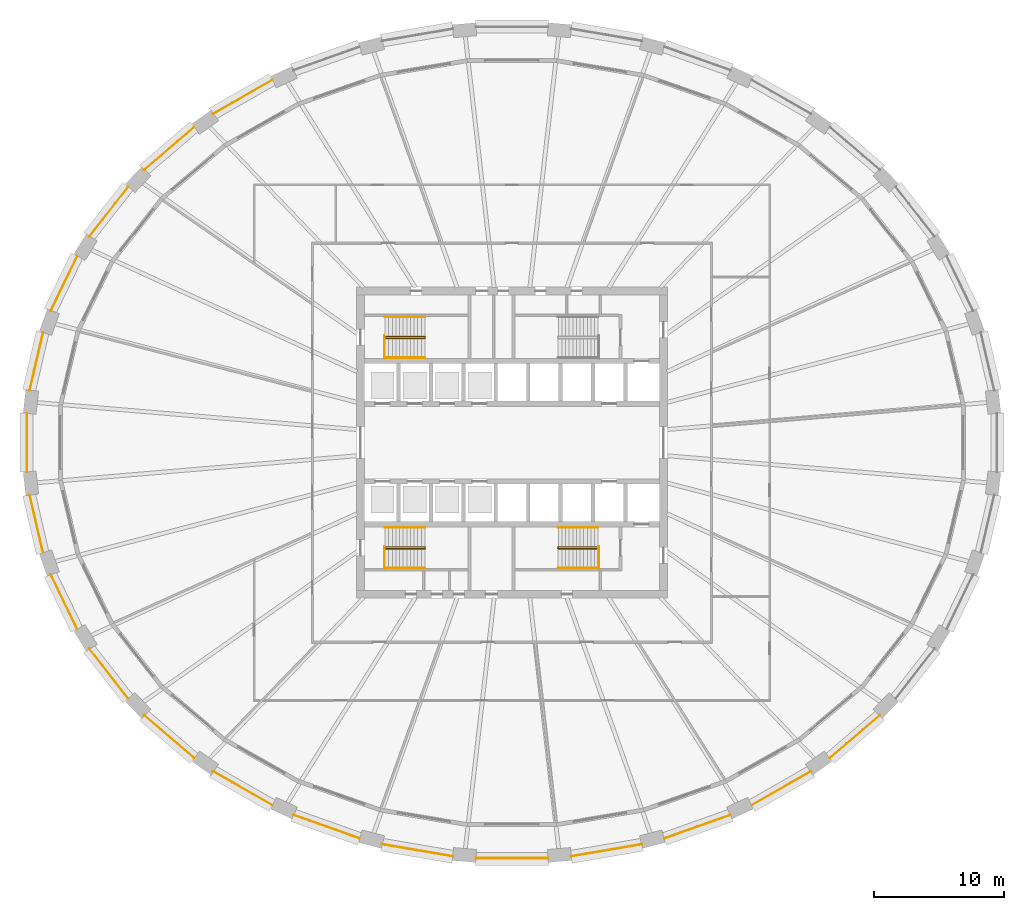
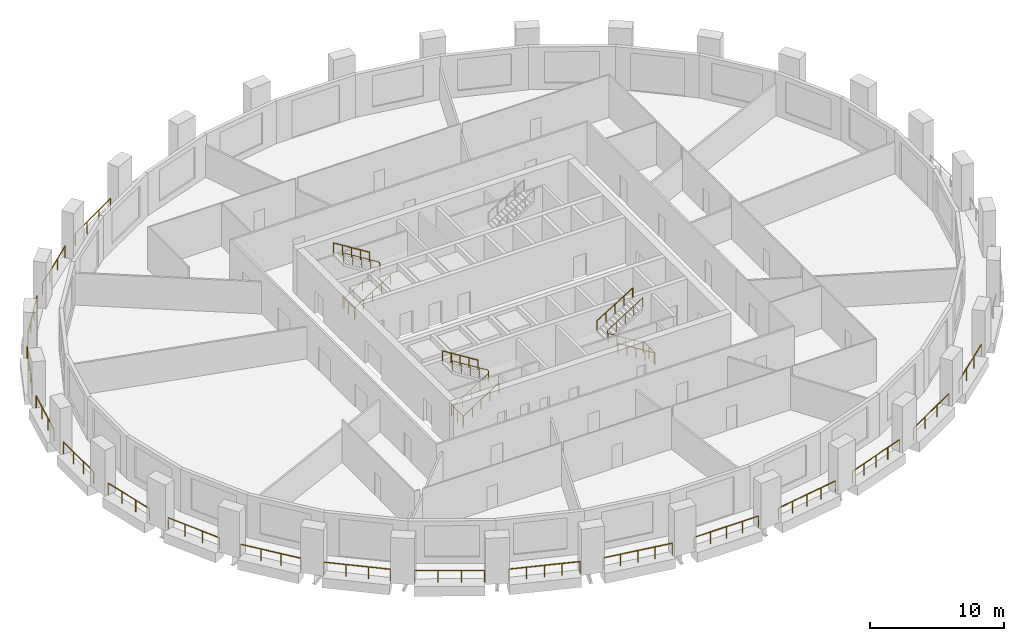
# One storey, part 9 of 11: 30 railings.
"""IFC4 building model written with IfcOpenShell, lengths in metres."""

import ifcopenshell
import ifcopenshell.guid

model = None  # the IFC model being written
_history = None  # IfcOwnerHistory: only IFC2X3 demands one
_inside = {}  # id of a spatial element -> (the spatial element, [elements in it])
_under = {}  # id of a project, library or spatial element -> (it, [spatial elements below it])
_declared = {}  # id of a project -> (the project, [libraries it declares])
_typed = {}  # id of a type object -> (the type object, [elements of that type])
_made_of = {}  # id of a material, layer set ... -> (it, [elements and type objects made of it])


def new_model(schema):
    """Start an empty IFC model of exactly this schema.

    Asked for "IFC4X3", IfcOpenShell would pick the latest addendum, in which some entities
    have other attributes; the version numbers below select the first issue.
    IFC2X3 requires an IfcOwnerHistory on every rooted entity: one is made here for all.
    """
    global model, _history
    if schema == "IFC4X3":
        model = ifcopenshell.file(schema_version=(4, 3, 0, 0))
    else:
        model = ifcopenshell.file(schema=schema)
    _inside.clear()
    _under.clear()
    _declared.clear()
    _typed.clear()
    _made_of.clear()
    _history = None
    if model.schema == "IFC2X3":
        org = make("IfcOrganization", Name="unknown")
        user = make(
            "IfcPersonAndOrganization",
            ThePerson=make("IfcPerson", FamilyName="unknown"),
            TheOrganization=org,
        )
        app = make(
            "IfcApplication",
            ApplicationDeveloper=org,
            Version="unknown",
            ApplicationFullName="unknown",
            ApplicationIdentifier="unknown",
        )
        _history = make(
            "IfcOwnerHistory",
            OwningUser=user,
            OwningApplication=app,
            ChangeAction="ADDED",
            CreationDate=0,
        )
    return model


def make(cls, **values):
    """One entity of the class cls with the attributes given. An attribute that is None is left unset."""
    return model.create_entity(
        cls, **{name: value for name, value in values.items() if value is not None}
    )


def rooted(cls, **values):
    """An entity with a GlobalId (a new one), such as an element, a storey or a relation."""
    return make(cls, GlobalId=ifcopenshell.guid.new(), OwnerHistory=_history, **values)


def si_unit(unit_type, name, prefix=None):
    """IfcSIUnit, for example si_unit("LENGTHUNIT", "METRE", prefix="MILLI")."""
    return make("IfcSIUnit", UnitType=unit_type, Prefix=prefix, Name=name)


def assignment(units):
    """IfcUnitAssignment: the units of a project."""
    return None if units is None else make("IfcUnitAssignment", Units=units)


def point(xyz):
    """IfcCartesianPoint."""
    return None if xyz is None else make("IfcCartesianPoint", Coordinates=xyz)


def direction(xyz):
    """IfcDirection."""
    return None if xyz is None else make("IfcDirection", DirectionRatios=xyz)


def frame(location, z_axis=None, x_axis=None):
    """IfcAxis2Placement3D, a coordinate frame: its origin and axes. An axis left out is left unset."""
    return make(
        "IfcAxis2Placement3D",
        Location=point(location),
        Axis=direction(z_axis),
        RefDirection=direction(x_axis),
    )


def frame_2d(location, x_axis=None):
    """IfcAxis2Placement2D, a coordinate frame in the plane: its origin and x axis."""
    return make(
        "IfcAxis2Placement2D", Location=point(location), RefDirection=direction(x_axis)
    )


def origin():
    """The frame at (0, 0, 0) with its axes left unset."""
    return frame((0.0, 0.0, 0.0))


def origin_2d():
    """The frame at (0, 0) in the plane with its x axis left unset."""
    return frame_2d((0.0, 0.0))


def place(relative_to, where):
    """IfcLocalPlacement: puts the frame where relative to a parent placement (None: the world)."""
    return make(
        "IfcLocalPlacement", PlacementRelTo=relative_to, RelativePlacement=where
    )


def context(
    kind, dimensions, precision=None, world=None, true_north=None, identifier=None
):
    """IfcGeometricRepresentationContext, for example the 3D "Model" context."""
    return make(
        "IfcGeometricRepresentationContext",
        ContextIdentifier=identifier,
        ContextType=kind,
        CoordinateSpaceDimension=dimensions,
        Precision=precision,
        WorldCoordinateSystem=world,
        TrueNorth=true_north,
    )


def subcontext(parent, identifier, kind, view, scale=None):
    """IfcGeometricRepresentationSubContext, for example "Body" below "Model"."""
    return make(
        "IfcGeometricRepresentationSubContext",
        ContextIdentifier=identifier,
        ContextType=kind,
        ParentContext=parent,
        TargetScale=scale,
        TargetView=view,
    )


def project(units=None, contexts=None):
    """IfcProject with its units and contexts."""
    return rooted(
        "IfcProject",
        Name="project",
        RepresentationContexts=contexts,
        UnitsInContext=assignment(units),
    )


def spatial(cls, under=None, at=None, **own):
    """A site, building, storey or space (cls), placed at a placement, below another one or the project."""
    s = rooted(cls, ObjectPlacement=at, **own)
    if under is not None:
        _under.setdefault(under.id(), (under, []))[1].append(s)
    return s


def profile(cls, at=None, kind="AREA", **sizes):
    """A parametric profile (cls). Its sizes go by their IFC names, for example OverallWidth=200.0."""
    return make(cls, ProfileType=kind, Position=at, **sizes)


def circle(**sizes):
    """IfcCircleProfileDef."""
    return profile("IfcCircleProfileDef", **sizes)


def extrude(swept, where, along, depth):
    """IfcExtrudedAreaSolid: the profile swept, set in the frame where, extruded along a direction by depth."""
    return make(
        "IfcExtrudedAreaSolid",
        SweptArea=swept,
        Position=where,
        ExtrudedDirection=direction(along),
        Depth=depth,
    )


def shape(context_of_items, identifier, shape_type, items):
    """IfcShapeRepresentation: the items that make up one representation, for example the "Body"."""
    return make(
        "IfcShapeRepresentation",
        ContextOfItems=context_of_items,
        RepresentationIdentifier=identifier,
        RepresentationType=shape_type,
        Items=items,
    )


def material(Name=None, Category=None):
    """IfcMaterial."""
    return make("IfcMaterial", Name=Name, Category=Category)


def made_of(thing, what):
    """Note that an element or type object is made of a material, layer set ...; save() writes the relation."""
    if what is not None:
        _made_of.setdefault(what.id(), (what, []))[1].append(thing)
    return thing


def type_object(cls, material=None, **own):
    """A type object (cls), such as IfcWallType, which elements share."""
    return made_of(rooted(cls, **own), material)


def element(
    cls,
    number,
    at=None,
    inside=None,
    cuts=None,
    type_object=None,
    material=None,
    context=None,
    identifier="Body",
    shape_type=None,
    held_by="IfcProductDefinitionShape",
    body=None,
    shapes=None,
    **own,
):
    """One element of the class cls, such as IfcWall. Its Tag is "e" and its number.

    at: its placement. inside: the storey or other place that contains it. cuts: it is an
    opening in that element (IfcRelVoidsElement). A single representation is given by context,
    identifier, shape_type and body (its items); several are given by shapes. held_by: the class
    of the entity that holds the representations. save() writes the other relations.
    """
    e = rooted(cls, Tag="e%d" % number, ObjectPlacement=at, **own)
    if body is not None:
        shapes = [shape(context, identifier, shape_type, body)]
    if shapes is not None:
        e.Representation = make(held_by, Representations=shapes)
    if inside is not None:
        _inside.setdefault(inside.id(), (inside, []))[1].append(e)
    if cuts is not None:
        rooted(
            "IfcRelVoidsElement", RelatingBuildingElement=cuts, RelatedOpeningElement=e
        )
    if type_object is not None:
        _typed.setdefault(type_object.id(), (type_object, []))[1].append(e)
    return made_of(e, material)


def aggregate(whole, parts):
    """IfcRelAggregates: a whole, such as a stair, and the parts it consists of."""
    return rooted("IfcRelAggregates", RelatingObject=whole, RelatedObjects=parts)


def save(model, path):
    """Write the relations noted so far, then the file.

    IfcRelAggregates (storeys below a building ...), IfcRelContainedInSpatialStructure (elements
    in a storey), IfcRelDefinesByType, IfcRelAssociatesMaterial and IfcRelDeclares: one each for
    every whole, place, type object, material and project.
    """
    for whole, parts in _under.values():
        aggregate(whole, parts)
    for where, things in _inside.values():
        rooted(
            "IfcRelContainedInSpatialStructure",
            RelatedElements=things,
            RelatingStructure=where,
        )
    for kind, things in _typed.values():
        rooted("IfcRelDefinesByType", RelatedObjects=things, RelatingType=kind)
    for what, things in _made_of.values():
        rooted("IfcRelAssociatesMaterial", RelatedObjects=things, RelatingMaterial=what)
    for by, libraries in _declared.values():
        rooted("IfcRelDeclares", RelatingContext=by, RelatedDefinitions=libraries)
    model.write(path)


model = new_model("IFC4")

# Units and contexts
model_context = context("Model", 3, precision=1e-05, world=origin(), true_north=direction((0.0, 1.0)))
body_context = subcontext(model_context, "Body", "Model", "MODEL_VIEW")
ifc_project = project(units=[si_unit("LENGTHUNIT", "METRE"), si_unit("AREAUNIT", "SQUARE_METRE"), si_unit("VOLUMEUNIT", "CUBIC_METRE"), si_unit("PLANEANGLEUNIT", "RADIAN"), si_unit("MASSUNIT", "GRAM", prefix="KILO")], contexts=[model_context])

# Site, building, storey
site_placement = place(None, origin())
site = spatial("IfcSite", under=ifc_project, at=site_placement, CompositionType="ELEMENT")
building_placement = place(site_placement, origin())
building = spatial("IfcBuilding", under=site, at=building_placement, Name="Halqa Exchange Tower", CompositionType="ELEMENT")
storey_placement = place(building_placement, frame((0.0, 0.0, 44.5)))
storey = spatial("IfcBuildingStorey", under=building, at=storey_placement, Name="L09", CompositionType="ELEMENT", Elevation=44.5)

# Railings
ifc_material = material(Name="Stainless steel", Category="steel")
railing_type_1 = type_object("IfcRailingType", Name="Guard 1100 stainless steel", PredefinedType="GUARDRAIL", material=ifc_material)
railing_1_placement = place(storey_placement, frame((-18.51171875, 27.985595703125, 0.0)))
element("IfcRailing", 1, at=railing_1_placement, inside=storey, type_object=railing_type_1, Name="Loggia guard 11", PredefinedType="GUARDRAIL", context=body_context, shape_type="SweptSolid", body=[
    extrude(circle(Radius=0.02392578125, at=origin_2d()), frame((0.0, 0.0, 1.076171875), z_axis=(-0.867757631472, -0.496987618581, 0.0), x_axis=(0.496987618581, -0.867757631472, 0.0)), (0.0, 0.0, 1.0), 5.26513671875),
    extrude(circle(Radius=0.02099609375, at=origin_2d()), origin(), (0.0, 0.0, 1.0), 1.052001953125),
    extrude(circle(Radius=0.02099609375, at=origin_2d()), frame((-1.52294921875, -0.872314453125, 0.0)), (0.0, 0.0, 1.0), 1.052001953125),
    extrude(circle(Radius=0.02099609375, at=origin_2d()), frame((-3.0458984375, -1.744384765625, 0.0)), (0.0, 0.0, 1.0), 1.052001953125),
    extrude(circle(Radius=0.02099609375, at=origin_2d()), frame((-4.56884765625, -2.61669921875, 0.0)), (0.0, 0.0, 1.0), 1.052001953125),
])
railing_2_placement = place(storey_placement, frame((-24.544921875, 24.3359375, 0.0)))
element("IfcRailing", 2, at=railing_2_placement, inside=storey, type_object=railing_type_1, Name="Loggia guard 12", PredefinedType="GUARDRAIL", context=body_context, shape_type="SweptSolid", body=[
    extrude(circle(Radius=0.02392578125, at=origin_2d()), frame((0.0, 0.0, 1.076171875), z_axis=(-0.759253201267, -0.650795341383, 0.0), x_axis=(0.650795341383, -0.759253201267, 0.0)), (0.0, 0.0, 1.0), 5.067138671875),
    extrude(circle(Radius=0.02099609375, at=origin_2d()), origin(), (0.0, 0.0, 1.0), 1.052001953125),
    extrude(circle(Radius=0.02099609375, at=origin_2d()), frame((-1.282470703125, -1.09912109375, 0.0)), (0.0, 0.0, 1.0), 1.052001953125),
    extrude(circle(Radius=0.02099609375, at=origin_2d()), frame((-2.564697265625, -2.198486328125, 0.0)), (0.0, 0.0, 1.0), 1.052001953125),
    extrude(circle(Radius=0.02099609375, at=origin_2d()), frame((-3.84716796875, -3.297607421875, 0.0)), (0.0, 0.0, 1.0), 1.052001953125),
])
railing_3_placement = place(storey_placement, frame((-29.628662109375, 19.742919921875, 0.0)))
element("IfcRailing", 3, at=railing_3_placement, inside=storey, type_object=railing_type_1, Name="Loggia guard 13", PredefinedType="GUARDRAIL", context=body_context, shape_type="SweptSolid", body=[
    extrude(circle(Radius=0.02392578125, at=origin_2d()), frame((0.0, 0.0, 1.076171875), z_axis=(-0.614788306986, -0.788692169096, 0.0), x_axis=(0.788692169096, -0.614788306986, 0.0)), (0.0, 0.0, 1.0), 4.863037109375),
    extrude(circle(Radius=0.02099609375, at=origin_2d()), origin(), (0.0, 0.0, 1.0), 1.052001953125),
    extrude(circle(Radius=0.02099609375, at=origin_2d()), frame((-0.99658203125, -1.278564453125, 0.0)), (0.0, 0.0, 1.0), 1.052001953125),
    extrude(circle(Radius=0.02099609375, at=origin_2d()), frame((-1.9931640625, -2.556884765625, 0.0)), (0.0, 0.0, 1.0), 1.052001953125),
    extrude(circle(Radius=0.02099609375, at=origin_2d()), frame((-2.98974609375, -3.83544921875, 0.0)), (0.0, 0.0, 1.0), 1.052001953125),
])
railing_4_placement = place(storey_placement, frame((-33.5634765625, 14.387451171875, 0.0)))
element("IfcRailing", 4, at=railing_4_placement, inside=storey, type_object=railing_type_1, Name="Loggia guard 14", PredefinedType="GUARDRAIL", context=body_context, shape_type="SweptSolid", body=[
    extrude(circle(Radius=0.02392578125, at=origin_2d()), frame((0.0, 0.0, 1.076171875), z_axis=(-0.435082763591, -0.900390464646, 0.0), x_axis=(0.900390464646, -0.435082763591, 0.0)), (0.0, 0.0, 1.0), 4.684814453125),
    extrude(circle(Radius=0.02099609375, at=origin_2d()), origin(), (0.0, 0.0, 1.0), 1.052001953125),
    extrude(circle(Radius=0.02099609375, at=origin_2d()), frame((-0.679443359375, -1.406005859375, 0.0)), (0.0, 0.0, 1.0), 1.052001953125),
    extrude(circle(Radius=0.02099609375, at=origin_2d()), frame((-1.35888671875, -2.812255859375, 0.0)), (0.0, 0.0, 1.0), 1.052001953125),
    extrude(circle(Radius=0.02099609375, at=origin_2d()), frame((-2.038330078125, -4.21826171875, 0.0)), (0.0, 0.0, 1.0), 1.052001953125),
])
railing_5_placement = place(storey_placement, frame((-36.197021484375, 8.482177734375, 0.0)))
element("IfcRailing", 5, at=railing_5_placement, inside=storey, type_object=railing_type_1, Name="Loggia guard 15", PredefinedType="GUARDRAIL", context=body_context, shape_type="SweptSolid", body=[
    extrude(circle(Radius=0.02392578125, at=origin_2d()), frame((0.0, 0.0, 1.076171875), z_axis=(-0.226023651238, -0.974121814293, 0.0), x_axis=(0.974121814293, -0.226023651238, 0.0)), (0.0, 0.0, 1.0), 4.563720703125),
    extrude(circle(Radius=0.02099609375, at=origin_2d()), origin(), (0.0, 0.0, 1.0), 1.052001953125),
    extrude(circle(Radius=0.02099609375, at=origin_2d()), frame((-0.34375, -1.48193359375, 0.0)), (0.0, 0.0, 1.0), 1.052001953125),
    extrude(circle(Radius=0.02099609375, at=origin_2d()), frame((-0.687744140625, -2.963623046875, 0.0)), (0.0, 0.0, 1.0), 1.052001953125),
    extrude(circle(Radius=0.02099609375, at=origin_2d()), frame((-1.031494140625, -4.445556640625, 0.0)), (0.0, 0.0, 1.0), 1.052001953125),
])
railing_6_placement = place(storey_placement, frame((-37.431884765625, 2.260009765625, 0.0)))
element("IfcRailing", 6, at=railing_6_placement, inside=storey, type_object=railing_type_1, Name="Loggia guard 16", PredefinedType="GUARDRAIL", context=body_context, shape_type="SweptSolid", body=[
    extrude(circle(Radius=0.02392578125, at=origin_2d()), frame((0.0, 0.0, 1.076171875), z_axis=(0.0, -1.0, 0.0), x_axis=(1.0, 0.0, 0.0)), (0.0, 0.0, 1.0), 4.52001953125),
    extrude(circle(Radius=0.02099609375, at=origin_2d()), origin(), (0.0, 0.0, 1.0), 1.052001953125),
    extrude(circle(Radius=0.02099609375, at=origin_2d()), frame((0.0, -1.506591796875, 0.0)), (0.0, 0.0, 1.0), 1.052001953125),
    extrude(circle(Radius=0.02099609375, at=origin_2d()), frame((0.0, -3.013427734375, 0.0)), (0.0, 0.0, 1.0), 1.052001953125),
    extrude(circle(Radius=0.02099609375, at=origin_2d()), frame((0.0, -4.52001953125, 0.0)), (0.0, 0.0, 1.0), 1.052001953125),
])
railing_7_placement = place(storey_placement, frame((-37.228515625, -4.03662109375, 0.0)))
element("IfcRailing", 7, at=railing_7_placement, inside=storey, type_object=railing_type_1, Name="Loggia guard 17", PredefinedType="GUARDRAIL", context=body_context, shape_type="SweptSolid", body=[
    extrude(circle(Radius=0.02392578125, at=origin_2d()), frame((0.0, 0.0, 1.076171875), z_axis=(0.226023651238, -0.974121814293, 0.0), x_axis=(0.974121814293, 0.226023651238, 0.0)), (0.0, 0.0, 1.0), 4.563720703125),
    extrude(circle(Radius=0.02099609375, at=origin_2d()), origin(), (0.0, 0.0, 1.0), 1.052001953125),
    extrude(circle(Radius=0.02099609375, at=origin_2d()), frame((0.34375, -1.48193359375, 0.0)), (0.0, 0.0, 1.0), 1.052001953125),
    extrude(circle(Radius=0.02099609375, at=origin_2d()), frame((0.687744140625, -2.963623046875, 0.0)), (0.0, 0.0, 1.0), 1.052001953125),
    extrude(circle(Radius=0.02099609375, at=origin_2d()), frame((1.031494140625, -4.445556640625, 0.0)), (0.0, 0.0, 1.0), 1.052001953125),
])
railing_8_placement = place(storey_placement, frame((-35.601806640625, -10.169189453125, 0.0)))
element("IfcRailing", 8, at=railing_8_placement, inside=storey, type_object=railing_type_1, Name="Loggia guard 18", PredefinedType="GUARDRAIL", context=body_context, shape_type="SweptSolid", body=[
    extrude(circle(Radius=0.02392578125, at=origin_2d()), frame((0.0, 0.0, 1.076171875), z_axis=(0.435082763591, -0.900390464646, 0.0), x_axis=(0.900390464646, 0.435082763591, 0.0)), (0.0, 0.0, 1.0), 4.684814453125),
    extrude(circle(Radius=0.02099609375, at=origin_2d()), origin(), (0.0, 0.0, 1.0), 1.052001953125),
    extrude(circle(Radius=0.02099609375, at=origin_2d()), frame((0.679443359375, -1.406005859375, 0.0)), (0.0, 0.0, 1.0), 1.052001953125),
    extrude(circle(Radius=0.02099609375, at=origin_2d()), frame((1.35888671875, -2.812255859375, 0.0)), (0.0, 0.0, 1.0), 1.052001953125),
    extrude(circle(Radius=0.02099609375, at=origin_2d()), frame((2.038330078125, -4.21826171875, 0.0)), (0.0, 0.0, 1.0), 1.052001953125),
])
railing_9_placement = place(storey_placement, frame((-32.618408203125, -15.907470703125, 0.0)))
element("IfcRailing", 9, at=railing_9_placement, inside=storey, type_object=railing_type_1, Name="Loggia guard 19", PredefinedType="GUARDRAIL", context=body_context, shape_type="SweptSolid", body=[
    extrude(circle(Radius=0.02392578125, at=origin_2d()), frame((0.0, 0.0, 1.076171875), z_axis=(0.614788306986, -0.788692169096, 0.0), x_axis=(0.788692169096, 0.614788306986, 0.0)), (0.0, 0.0, 1.0), 4.863037109375),
    extrude(circle(Radius=0.02099609375, at=origin_2d()), origin(), (0.0, 0.0, 1.0), 1.052001953125),
    extrude(circle(Radius=0.02099609375, at=origin_2d()), frame((0.99658203125, -1.278564453125, 0.0)), (0.0, 0.0, 1.0), 1.052001953125),
    extrude(circle(Radius=0.02099609375, at=origin_2d()), frame((1.9931640625, -2.556884765625, 0.0)), (0.0, 0.0, 1.0), 1.052001953125),
    extrude(circle(Radius=0.02099609375, at=origin_2d()), frame((2.98974609375, -3.83544921875, 0.0)), (0.0, 0.0, 1.0), 1.052001953125),
])
railing_10_placement = place(storey_placement, frame((-28.39208984375, -21.038330078125, 0.0)))
element("IfcRailing", 10, at=railing_10_placement, inside=storey, type_object=railing_type_1, Name="Loggia guard 20", PredefinedType="GUARDRAIL", context=body_context, shape_type="SweptSolid", body=[
    extrude(circle(Radius=0.02392578125, at=origin_2d()), frame((0.0, 0.0, 1.076171875), z_axis=(0.759253201267, -0.650795341383, 0.0), x_axis=(0.650795341383, 0.759253201267, 0.0)), (0.0, 0.0, 1.0), 5.067138671875),
    extrude(circle(Radius=0.02099609375, at=origin_2d()), origin(), (0.0, 0.0, 1.0), 1.052001953125),
    extrude(circle(Radius=0.02099609375, at=origin_2d()), frame((1.282470703125, -1.09912109375, 0.0)), (0.0, 0.0, 1.0), 1.052001953125),
    extrude(circle(Radius=0.02099609375, at=origin_2d()), frame((2.564697265625, -2.198486328125, 0.0)), (0.0, 0.0, 1.0), 1.052001953125),
    extrude(circle(Radius=0.02099609375, at=origin_2d()), frame((3.84716796875, -3.297607421875, 0.0)), (0.0, 0.0, 1.0), 1.052001953125),
])
railing_11_placement = place(storey_placement, frame((-23.08056640625, -25.368896484375, 0.0)))
element("IfcRailing", 11, at=railing_11_placement, inside=storey, type_object=railing_type_1, Name="Loggia guard 21", PredefinedType="GUARDRAIL", context=body_context, shape_type="SweptSolid", body=[
    extrude(circle(Radius=0.02392578125, at=origin_2d()), frame((0.0, 0.0, 1.076171875), z_axis=(0.867757631472, -0.496987618581, 0.0), x_axis=(0.496987618581, 0.867757631472, 0.0)), (0.0, 0.0, 1.0), 5.26513671875),
    extrude(circle(Radius=0.02099609375, at=origin_2d()), origin(), (0.0, 0.0, 1.0), 1.052001953125),
    extrude(circle(Radius=0.02099609375, at=origin_2d()), frame((1.52294921875, -0.872314453125, 0.0)), (0.0, 0.0, 1.0), 1.052001953125),
    extrude(circle(Radius=0.02099609375, at=origin_2d()), frame((3.0458984375, -1.744384765625, 0.0)), (0.0, 0.0, 1.0), 1.052001953125),
    extrude(circle(Radius=0.02099609375, at=origin_2d()), frame((4.56884765625, -2.61669921875, 0.0)), (0.0, 0.0, 1.0), 1.052001953125),
])
railing_12_placement = place(storey_placement, frame((-16.882568359375, -28.734130859375, 0.0)))
element("IfcRailing", 12, at=railing_12_placement, inside=storey, type_object=railing_type_1, Name="Loggia guard 22", PredefinedType="GUARDRAIL", context=body_context, shape_type="SweptSolid", body=[
    extrude(circle(Radius=0.02392578125, at=origin_2d()), frame((0.0, 0.0, 1.076171875), z_axis=(0.942380187408, -0.33454384224, 0.0), x_axis=(0.33454384224, 0.942380187408, 0.0)), (0.0, 0.0, 1.0), 5.4287109375),
    extrude(circle(Radius=0.02099609375, at=origin_2d()), origin(), (0.0, 0.0, 1.0), 1.052001953125),
    extrude(circle(Radius=0.02099609375, at=origin_2d()), frame((1.279052734375, -0.4541015625, 0.0)), (0.0, 0.0, 1.0), 1.052001953125),
    extrude(circle(Radius=0.02099609375, at=origin_2d()), frame((2.55810546875, -0.908203125, 0.0)), (0.0, 0.0, 1.0), 1.052001953125),
    extrude(circle(Radius=0.02099609375, at=origin_2d()), frame((3.8369140625, -1.362060546875, 0.0)), (0.0, 0.0, 1.0), 1.052001953125),
    extrude(circle(Radius=0.02099609375, at=origin_2d()), frame((5.115966796875, -1.816162109375, 0.0)), (0.0, 0.0, 1.0), 1.052001953125),
])
railing_13_placement = place(storey_placement, frame((-10.03125, -31.002685546875, 0.0)))
element("IfcRailing", 13, at=railing_13_placement, inside=storey, type_object=railing_type_1, Name="Loggia guard 23", PredefinedType="GUARDRAIL", context=body_context, shape_type="SweptSolid", body=[
    extrude(circle(Radius=0.02392578125, at=origin_2d()), frame((0.0, 0.0, 1.076171875), z_axis=(0.985768348427, -0.168109378795, 0.0), x_axis=(0.168109378795, 0.985768348427, 0.0)), (0.0, 0.0, 1.0), 5.5361328125),
    extrude(circle(Radius=0.02099609375, at=origin_2d()), origin(), (0.0, 0.0, 1.0), 1.052001953125),
    extrude(circle(Radius=0.02099609375, at=origin_2d()), frame((1.3642578125, -0.232666015625, 0.0)), (0.0, 0.0, 1.0), 1.052001953125),
    extrude(circle(Radius=0.02099609375, at=origin_2d()), frame((2.728515625, -0.46533203125, 0.0)), (0.0, 0.0, 1.0), 1.052001953125),
    extrude(circle(Radius=0.02099609375, at=origin_2d()), frame((4.093017578125, -0.697998046875, 0.0)), (0.0, 0.0, 1.0), 1.052001953125),
    extrude(circle(Radius=0.02099609375, at=origin_2d()), frame((5.457275390625, -0.9306640625, 0.0)), (0.0, 0.0, 1.0), 1.052001953125),
])
railing_14_placement = place(storey_placement, frame((-2.78662109375, -32.084716796875, 0.0)))
element("IfcRailing", 14, at=railing_14_placement, inside=storey, type_object=railing_type_1, Name="Loggia guard 24", PredefinedType="GUARDRAIL", context=body_context, shape_type="SweptSolid", body=[
    extrude(circle(Radius=0.02392578125, at=origin_2d()), frame((0.0, 0.0, 1.076171875), z_axis=(1.0, 0.0, 0.0), x_axis=(0.0, 1.0, 0.0)), (0.0, 0.0, 1.0), 5.5732421875),
    extrude(circle(Radius=0.02099609375, at=origin_2d()), origin(), (0.0, 0.0, 1.0), 1.052001953125),
    extrude(circle(Radius=0.02099609375, at=origin_2d()), frame((1.393310546875, 0.0, 0.0)), (0.0, 0.0, 1.0), 1.052001953125),
    extrude(circle(Radius=0.02099609375, at=origin_2d()), frame((2.78662109375, 0.0, 0.0)), (0.0, 0.0, 1.0), 1.052001953125),
    extrude(circle(Radius=0.02099609375, at=origin_2d()), frame((4.179931640625, 0.0, 0.0)), (0.0, 0.0, 1.0), 1.052001953125),
    extrude(circle(Radius=0.02099609375, at=origin_2d()), frame((5.5732421875, 0.0, 0.0)), (0.0, 0.0, 1.0), 1.052001953125),
])
railing_15_placement = place(storey_placement, frame((4.573974609375, -31.933349609375, 0.0)))
element("IfcRailing", 15, at=railing_15_placement, inside=storey, type_object=railing_type_1, Name="Loggia guard 25", PredefinedType="GUARDRAIL", context=body_context, shape_type="SweptSolid", body=[
    extrude(circle(Radius=0.02392578125, at=origin_2d()), frame((0.0, 0.0, 1.076171875), z_axis=(0.985768348427, 0.168109378795, 0.0), x_axis=(-0.168109378795, 0.985768348427, 0.0)), (0.0, 0.0, 1.0), 5.5361328125),
    extrude(circle(Radius=0.02099609375, at=origin_2d()), origin(), (0.0, 0.0, 1.0), 1.052001953125),
    extrude(circle(Radius=0.02099609375, at=origin_2d()), frame((1.3642578125, 0.232666015625, 0.0)), (0.0, 0.0, 1.0), 1.052001953125),
    extrude(circle(Radius=0.02099609375, at=origin_2d()), frame((2.728515625, 0.46533203125, 0.0)), (0.0, 0.0, 1.0), 1.052001953125),
    extrude(circle(Radius=0.02099609375, at=origin_2d()), frame((4.093017578125, 0.697998046875, 0.0)), (0.0, 0.0, 1.0), 1.052001953125),
    extrude(circle(Radius=0.02099609375, at=origin_2d()), frame((5.457275390625, 0.9306640625, 0.0)), (0.0, 0.0, 1.0), 1.052001953125),
])
railing_16_placement = place(storey_placement, frame((11.7666015625, -30.55029296875, 0.0)))
element("IfcRailing", 16, at=railing_16_placement, inside=storey, type_object=railing_type_1, Name="Loggia guard 26", PredefinedType="GUARDRAIL", context=body_context, shape_type="SweptSolid", body=[
    extrude(circle(Radius=0.02392578125, at=origin_2d()), frame((0.0, 0.0, 1.076171875), z_axis=(0.942380187408, 0.33454384224, 0.0), x_axis=(-0.33454384224, 0.942380187408, 0.0)), (0.0, 0.0, 1.0), 5.4287109375),
    extrude(circle(Radius=0.02099609375, at=origin_2d()), origin(), (0.0, 0.0, 1.0), 1.052001953125),
    extrude(circle(Radius=0.02099609375, at=origin_2d()), frame((1.279052734375, 0.4541015625, 0.0)), (0.0, 0.0, 1.0), 1.052001953125),
    extrude(circle(Radius=0.02099609375, at=origin_2d()), frame((2.55810546875, 0.908203125, 0.0)), (0.0, 0.0, 1.0), 1.052001953125),
    extrude(circle(Radius=0.02099609375, at=origin_2d()), frame((3.8369140625, 1.362060546875, 0.0)), (0.0, 0.0, 1.0), 1.052001953125),
    extrude(circle(Radius=0.02099609375, at=origin_2d()), frame((5.115966796875, 1.816162109375, 0.0)), (0.0, 0.0, 1.0), 1.052001953125),
])
railing_17_placement = place(storey_placement, frame((18.51171875, -27.985595703125, 0.0)))
element("IfcRailing", 17, at=railing_17_placement, inside=storey, type_object=railing_type_1, Name="Loggia guard 27", PredefinedType="GUARDRAIL", context=body_context, shape_type="SweptSolid", body=[
    extrude(circle(Radius=0.02392578125, at=origin_2d()), frame((0.0, 0.0, 1.076171875), z_axis=(0.867757631472, 0.496987618581, 0.0), x_axis=(-0.496987618581, 0.867757631472, 0.0)), (0.0, 0.0, 1.0), 5.26513671875),
    extrude(circle(Radius=0.02099609375, at=origin_2d()), origin(), (0.0, 0.0, 1.0), 1.052001953125),
    extrude(circle(Radius=0.02099609375, at=origin_2d()), frame((1.52294921875, 0.872314453125, 0.0)), (0.0, 0.0, 1.0), 1.052001953125),
    extrude(circle(Radius=0.02099609375, at=origin_2d()), frame((3.0458984375, 1.744384765625, 0.0)), (0.0, 0.0, 1.0), 1.052001953125),
    extrude(circle(Radius=0.02099609375, at=origin_2d()), frame((4.56884765625, 2.61669921875, 0.0)), (0.0, 0.0, 1.0), 1.052001953125),
])
railing_18_placement = place(storey_placement, frame((24.544921875, -24.3359375, 0.0)))
element("IfcRailing", 18, at=railing_18_placement, inside=storey, type_object=railing_type_1, Name="Loggia guard 28", PredefinedType="GUARDRAIL", context=body_context, shape_type="SweptSolid", body=[
    extrude(circle(Radius=0.02392578125, at=origin_2d()), frame((0.0, 0.0, 1.076171875), z_axis=(0.759253201267, 0.650795341383, 0.0), x_axis=(-0.650795341383, 0.759253201267, 0.0)), (0.0, 0.0, 1.0), 5.067138671875),
    extrude(circle(Radius=0.02099609375, at=origin_2d()), origin(), (0.0, 0.0, 1.0), 1.052001953125),
    extrude(circle(Radius=0.02099609375, at=origin_2d()), frame((1.282470703125, 1.09912109375, 0.0)), (0.0, 0.0, 1.0), 1.052001953125),
    extrude(circle(Radius=0.02099609375, at=origin_2d()), frame((2.564697265625, 2.198486328125, 0.0)), (0.0, 0.0, 1.0), 1.052001953125),
    extrude(circle(Radius=0.02099609375, at=origin_2d()), frame((3.84716796875, 3.297607421875, 0.0)), (0.0, 0.0, 1.0), 1.052001953125),
])
railing_type_2 = type_object("IfcRailingType", Name="Stair handrail 900", PredefinedType="HANDRAIL", material=ifc_material)
railing_19_placement = place(storey_placement, frame((-9.800048828125, 8.06005859375, 0.175048828125)))
element("IfcRailing", 19, at=railing_19_placement, inside=storey, type_object=railing_type_2, Name="Handrail ST1.1", PredefinedType="HANDRAIL", context=body_context, shape_type="SweptSolid", body=[
    extrude(circle(Radius=0.02392578125, at=origin_2d()), frame((0.0, 0.0, 0.8759765625), z_axis=(0.847998304005, 0.0, 0.529998940003), x_axis=(0.0, 1.0, 0.0)), (0.0, 0.0, 1.0), 3.632080078125),
    extrude(circle(Radius=0.02392578125, at=origin_2d()), frame((3.080078125, 0.0, 2.80078125), z_axis=(0.0, 0.596406559517, 0.802682512433), x_axis=(-1.0, 0.0, 0.0)), (0.0, 0.0, 1.0), 0.2177734375),
    extrude(circle(Radius=0.02392578125, at=origin_2d()), frame((3.080078125, 0.1298828125, 2.9755859375), z_axis=(-0.847998304005, 0.0, 0.529998940003), x_axis=(0.0, -1.0, 0.0)), (0.0, 0.0, 1.0), 3.632080078125),
    extrude(circle(Radius=0.02099609375, at=origin_2d()), origin(), (0.0, 0.0, 1.0), 0.851806640625),
    extrude(circle(Radius=0.02099609375, at=origin_2d()), frame((0.77001953125, 0.0, 0.481201171875)), (0.0, 0.0, 1.0), 0.851806640625),
    extrude(circle(Radius=0.02099609375, at=origin_2d()), frame((1.5400390625, 0.0, 0.96240234375)), (0.0, 0.0, 1.0), 0.851806640625),
    extrude(circle(Radius=0.02099609375, at=origin_2d()), frame((2.31005859375, 0.0, 1.44384765625)), (0.0, 0.0, 1.0), 0.851806640625),
    extrude(circle(Radius=0.02099609375, at=origin_2d()), frame((3.080078125, 0.0, 1.925048828125)), (0.0, 0.0, 1.0), 0.851806640625),
    extrude(circle(Radius=0.02099609375, at=origin_2d()), frame((3.080078125, 0.1298828125, 2.099853515625)), (0.0, 0.0, 1.0), 0.851806640625),
    extrude(circle(Radius=0.02099609375, at=origin_2d()), frame((2.31005859375, 0.1298828125, 2.5810546875)), (0.0, 0.0, 1.0), 0.851806640625),
    extrude(circle(Radius=0.02099609375, at=origin_2d()), frame((1.5400390625, 0.1298828125, 3.0625)), (0.0, 0.0, 1.0), 0.851806640625),
    extrude(circle(Radius=0.02099609375, at=origin_2d()), frame((0.77001953125, 0.1298828125, 3.543701171875)), (0.0, 0.0, 1.0), 0.851806640625),
    extrude(circle(Radius=0.02099609375, at=origin_2d()), frame((0.0, 0.1298828125, 4.02490234375)), (0.0, 0.0, 1.0), 0.851806640625),
])
railing_20_placement = place(storey_placement, frame((-9.800048828125, 6.550048828125, 0.175048828125)))
element("IfcRailing", 20, at=railing_20_placement, inside=storey, type_object=railing_type_2, Name="Handrail ST1.2", PredefinedType="HANDRAIL", context=body_context, shape_type="SweptSolid", body=[
    extrude(circle(Radius=0.02392578125, at=origin_2d()), frame((0.0, 0.0, 0.8759765625), z_axis=(0.847998304005, 0.0, 0.529998940003), x_axis=(0.0, 1.0, 0.0)), (0.0, 0.0, 1.0), 3.632080078125),
    extrude(circle(Radius=0.02099609375, at=origin_2d()), origin(), (0.0, 0.0, 1.0), 0.851806640625),
    extrude(circle(Radius=0.02099609375, at=origin_2d()), frame((0.77001953125, 0.0, 0.481201171875)), (0.0, 0.0, 1.0), 0.851806640625),
    extrude(circle(Radius=0.02099609375, at=origin_2d()), frame((1.5400390625, 0.0, 0.96240234375)), (0.0, 0.0, 1.0), 0.851806640625),
    extrude(circle(Radius=0.02099609375, at=origin_2d()), frame((2.31005859375, 0.0, 1.44384765625)), (0.0, 0.0, 1.0), 0.851806640625),
    extrude(circle(Radius=0.02099609375, at=origin_2d()), frame((3.080078125, 0.0, 1.925048828125)), (0.0, 0.0, 1.0), 0.851806640625),
])
railing_21_placement = place(storey_placement, frame((-6.719970703125, 9.699951171875, 2.27490234375)))
element("IfcRailing", 21, at=railing_21_placement, inside=storey, type_object=railing_type_2, Name="Handrail ST1.3", PredefinedType="HANDRAIL", context=body_context, shape_type="SweptSolid", body=[
    extrude(circle(Radius=0.02392578125, at=origin_2d()), frame((0.0, 0.0, 0.8759765625), z_axis=(-0.847998304005, 0.0, 0.529998940003), x_axis=(0.0, -1.0, 0.0)), (0.0, 0.0, 1.0), 3.632080078125),
    extrude(circle(Radius=0.02099609375, at=origin_2d()), origin(), (0.0, 0.0, 1.0), 0.851806640625),
    extrude(circle(Radius=0.02099609375, at=origin_2d()), frame((-0.77001953125, 0.0, 0.481201171875)), (0.0, 0.0, 1.0), 0.851806640625),
    extrude(circle(Radius=0.02099609375, at=origin_2d()), frame((-1.5400390625, 0.0, 0.96240234375)), (0.0, 0.0, 1.0), 0.851806640625),
    extrude(circle(Radius=0.02099609375, at=origin_2d()), frame((-2.31005859375, 0.0, 1.44384765625)), (0.0, 0.0, 1.0), 0.851806640625),
    extrude(circle(Radius=0.02099609375, at=origin_2d()), frame((-3.080078125, 0.0, 1.925048828125)), (0.0, 0.0, 1.0), 0.851806640625),
])
railing_22_placement = place(storey_placement, frame((-9.800048828125, -8.18994140625, 0.175048828125)))
element("IfcRailing", 22, at=railing_22_placement, inside=storey, type_object=railing_type_2, Name="Handrail ST3.1", PredefinedType="HANDRAIL", context=body_context, shape_type="SweptSolid", body=[
    extrude(circle(Radius=0.02392578125, at=origin_2d()), frame((0.0, 0.0, 0.8759765625), z_axis=(0.847998304005, 0.0, 0.529998940003), x_axis=(0.0, 1.0, 0.0)), (0.0, 0.0, 1.0), 3.632080078125),
    extrude(circle(Radius=0.02392578125, at=origin_2d()), frame((3.080078125, 0.0, 2.80078125), z_axis=(0.0, 0.596406559517, 0.802682512433), x_axis=(-1.0, 0.0, 0.0)), (0.0, 0.0, 1.0), 0.2177734375),
    extrude(circle(Radius=0.02392578125, at=origin_2d()), frame((3.080078125, 0.1298828125, 2.9755859375), z_axis=(-0.847998304005, 0.0, 0.529998940003), x_axis=(0.0, -1.0, 0.0)), (0.0, 0.0, 1.0), 3.632080078125),
    extrude(circle(Radius=0.02099609375, at=origin_2d()), origin(), (0.0, 0.0, 1.0), 0.851806640625),
    extrude(circle(Radius=0.02099609375, at=origin_2d()), frame((0.77001953125, 0.0, 0.481201171875)), (0.0, 0.0, 1.0), 0.851806640625),
    extrude(circle(Radius=0.02099609375, at=origin_2d()), frame((1.5400390625, 0.0, 0.96240234375)), (0.0, 0.0, 1.0), 0.851806640625),
    extrude(circle(Radius=0.02099609375, at=origin_2d()), frame((2.31005859375, 0.0, 1.44384765625)), (0.0, 0.0, 1.0), 0.851806640625),
    extrude(circle(Radius=0.02099609375, at=origin_2d()), frame((3.080078125, 0.0, 1.925048828125)), (0.0, 0.0, 1.0), 0.851806640625),
    extrude(circle(Radius=0.02099609375, at=origin_2d()), frame((3.080078125, 0.1298828125, 2.099853515625)), (0.0, 0.0, 1.0), 0.851806640625),
    extrude(circle(Radius=0.02099609375, at=origin_2d()), frame((2.31005859375, 0.1298828125, 2.5810546875)), (0.0, 0.0, 1.0), 0.851806640625),
    extrude(circle(Radius=0.02099609375, at=origin_2d()), frame((1.5400390625, 0.1298828125, 3.0625)), (0.0, 0.0, 1.0), 0.851806640625),
    extrude(circle(Radius=0.02099609375, at=origin_2d()), frame((0.77001953125, 0.1298828125, 3.543701171875)), (0.0, 0.0, 1.0), 0.851806640625),
    extrude(circle(Radius=0.02099609375, at=origin_2d()), frame((0.0, 0.1298828125, 4.02490234375)), (0.0, 0.0, 1.0), 0.851806640625),
])
railing_23_placement = place(storey_placement, frame((-9.800048828125, -9.699951171875, 0.175048828125)))
element("IfcRailing", 23, at=railing_23_placement, inside=storey, type_object=railing_type_2, Name="Handrail ST3.2", PredefinedType="HANDRAIL", context=body_context, shape_type="SweptSolid", body=[
    extrude(circle(Radius=0.02392578125, at=origin_2d()), frame((0.0, 0.0, 0.8759765625), z_axis=(0.847998304005, 0.0, 0.529998940003), x_axis=(0.0, 1.0, 0.0)), (0.0, 0.0, 1.0), 3.632080078125),
    extrude(circle(Radius=0.02099609375, at=origin_2d()), origin(), (0.0, 0.0, 1.0), 0.851806640625),
    extrude(circle(Radius=0.02099609375, at=origin_2d()), frame((0.77001953125, 0.0, 0.481201171875)), (0.0, 0.0, 1.0), 0.851806640625),
    extrude(circle(Radius=0.02099609375, at=origin_2d()), frame((1.5400390625, 0.0, 0.96240234375)), (0.0, 0.0, 1.0), 0.851806640625),
    extrude(circle(Radius=0.02099609375, at=origin_2d()), frame((2.31005859375, 0.0, 1.44384765625)), (0.0, 0.0, 1.0), 0.851806640625),
    extrude(circle(Radius=0.02099609375, at=origin_2d()), frame((3.080078125, 0.0, 1.925048828125)), (0.0, 0.0, 1.0), 0.851806640625),
])
railing_24_placement = place(storey_placement, frame((-6.719970703125, -6.550048828125, 2.27490234375)))
element("IfcRailing", 24, at=railing_24_placement, inside=storey, type_object=railing_type_2, Name="Handrail ST3.3", PredefinedType="HANDRAIL", context=body_context, shape_type="SweptSolid", body=[
    extrude(circle(Radius=0.02392578125, at=origin_2d()), frame((0.0, 0.0, 0.8759765625), z_axis=(-0.847998304005, 0.0, 0.529998940003), x_axis=(0.0, -1.0, 0.0)), (0.0, 0.0, 1.0), 3.632080078125),
    extrude(circle(Radius=0.02099609375, at=origin_2d()), origin(), (0.0, 0.0, 1.0), 0.851806640625),
    extrude(circle(Radius=0.02099609375, at=origin_2d()), frame((-0.77001953125, 0.0, 0.481201171875)), (0.0, 0.0, 1.0), 0.851806640625),
    extrude(circle(Radius=0.02099609375, at=origin_2d()), frame((-1.5400390625, 0.0, 0.96240234375)), (0.0, 0.0, 1.0), 0.851806640625),
    extrude(circle(Radius=0.02099609375, at=origin_2d()), frame((-2.31005859375, 0.0, 1.44384765625)), (0.0, 0.0, 1.0), 0.851806640625),
    extrude(circle(Radius=0.02099609375, at=origin_2d()), frame((-3.080078125, 0.0, 1.925048828125)), (0.0, 0.0, 1.0), 0.851806640625),
])
railing_25_placement = place(storey_placement, frame((6.64990234375, -8.18994140625, 0.175048828125)))
element("IfcRailing", 25, at=railing_25_placement, inside=storey, type_object=railing_type_2, Name="Handrail ST4.1", PredefinedType="HANDRAIL", context=body_context, shape_type="SweptSolid", body=[
    extrude(circle(Radius=0.02392578125, at=origin_2d()), frame((0.0, 0.0, 0.8759765625), z_axis=(-0.847979421464, 0.0, 0.530029150871), x_axis=(0.0, -1.0, 0.0)), (0.0, 0.0, 1.0), 3.632080078125),
    extrude(circle(Radius=0.02392578125, at=origin_2d()), frame((-3.079833984375, 0.0, 2.80078125), z_axis=(0.0, 0.596406559517, 0.802682512433), x_axis=(-1.0, 0.0, 0.0)), (0.0, 0.0, 1.0), 0.2177734375),
    extrude(circle(Radius=0.02392578125, at=origin_2d()), frame((-3.079833984375, 0.1298828125, 2.9755859375), z_axis=(0.847979421464, 0.0, 0.530029150871), x_axis=(0.0, 1.0, 0.0)), (0.0, 0.0, 1.0), 3.632080078125),
    extrude(circle(Radius=0.02099609375, at=origin_2d()), origin(), (0.0, 0.0, 1.0), 0.851806640625),
    extrude(circle(Radius=0.02099609375, at=origin_2d()), frame((-0.77001953125, 0.0, 0.481201171875)), (0.0, 0.0, 1.0), 0.851806640625),
    extrude(circle(Radius=0.02099609375, at=origin_2d()), frame((-1.5400390625, 0.0, 0.96240234375)), (0.0, 0.0, 1.0), 0.851806640625),
    extrude(circle(Radius=0.02099609375, at=origin_2d()), frame((-2.309814453125, 0.0, 1.44384765625)), (0.0, 0.0, 1.0), 0.851806640625),
    extrude(circle(Radius=0.02099609375, at=origin_2d()), frame((-3.079833984375, 0.0, 1.925048828125)), (0.0, 0.0, 1.0), 0.851806640625),
    extrude(circle(Radius=0.02099609375, at=origin_2d()), frame((-3.079833984375, 0.1298828125, 2.099853515625)), (0.0, 0.0, 1.0), 0.851806640625),
    extrude(circle(Radius=0.02099609375, at=origin_2d()), frame((-2.309814453125, 0.1298828125, 2.5810546875)), (0.0, 0.0, 1.0), 0.851806640625),
    extrude(circle(Radius=0.02099609375, at=origin_2d()), frame((-1.5400390625, 0.1298828125, 3.0625)), (0.0, 0.0, 1.0), 0.851806640625),
    extrude(circle(Radius=0.02099609375, at=origin_2d()), frame((-0.77001953125, 0.1298828125, 3.543701171875)), (0.0, 0.0, 1.0), 0.851806640625),
    extrude(circle(Radius=0.02099609375, at=origin_2d()), frame((0.0, 0.1298828125, 4.02490234375)), (0.0, 0.0, 1.0), 0.851806640625),
])
railing_26_placement = place(storey_placement, frame((6.64990234375, -9.699951171875, 0.175048828125)))
element("IfcRailing", 26, at=railing_26_placement, inside=storey, type_object=railing_type_2, Name="Handrail ST4.2", PredefinedType="HANDRAIL", context=body_context, shape_type="SweptSolid", body=[
    extrude(circle(Radius=0.02392578125, at=origin_2d()), frame((0.0, 0.0, 0.8759765625), z_axis=(-0.847979421464, 0.0, 0.530029150871), x_axis=(0.0, -1.0, 0.0)), (0.0, 0.0, 1.0), 3.632080078125),
    extrude(circle(Radius=0.02099609375, at=origin_2d()), origin(), (0.0, 0.0, 1.0), 0.851806640625),
    extrude(circle(Radius=0.02099609375, at=origin_2d()), frame((-0.77001953125, 0.0, 0.481201171875)), (0.0, 0.0, 1.0), 0.851806640625),
    extrude(circle(Radius=0.02099609375, at=origin_2d()), frame((-1.5400390625, 0.0, 0.96240234375)), (0.0, 0.0, 1.0), 0.851806640625),
    extrude(circle(Radius=0.02099609375, at=origin_2d()), frame((-2.309814453125, 0.0, 1.44384765625)), (0.0, 0.0, 1.0), 0.851806640625),
    extrude(circle(Radius=0.02099609375, at=origin_2d()), frame((-3.079833984375, 0.0, 1.925048828125)), (0.0, 0.0, 1.0), 0.851806640625),
])
railing_27_placement = place(storey_placement, frame((3.570068359375, -6.550048828125, 2.27490234375)))
element("IfcRailing", 27, at=railing_27_placement, inside=storey, type_object=railing_type_2, Name="Handrail ST4.3", PredefinedType="HANDRAIL", context=body_context, shape_type="SweptSolid", body=[
    extrude(circle(Radius=0.02392578125, at=origin_2d()), frame((0.0, 0.0, 0.8759765625), z_axis=(0.847979421464, 0.0, 0.530029150871), x_axis=(0.0, 1.0, 0.0)), (0.0, 0.0, 1.0), 3.632080078125),
    extrude(circle(Radius=0.02099609375, at=origin_2d()), origin(), (0.0, 0.0, 1.0), 0.851806640625),
    extrude(circle(Radius=0.02099609375, at=origin_2d()), frame((0.77001953125, 0.0, 0.481201171875)), (0.0, 0.0, 1.0), 0.851806640625),
    extrude(circle(Radius=0.02099609375, at=origin_2d()), frame((1.5400390625, 0.0, 0.96240234375)), (0.0, 0.0, 1.0), 0.851806640625),
    extrude(circle(Radius=0.02099609375, at=origin_2d()), frame((2.309814453125, 0.0, 1.44384765625)), (0.0, 0.0, 1.0), 0.851806640625),
    extrude(circle(Radius=0.02099609375, at=origin_2d()), frame((3.079833984375, 0.0, 1.925048828125)), (0.0, 0.0, 1.0), 0.851806640625),
])
railing_type_3 = type_object("IfcRailingType", Name="Stair well guard 1100", PredefinedType="GUARDRAIL", material=ifc_material)
for number, where, name in (
    (28, (-9.85009765625, 6.5, 0.0), "Guard ST1 well"),
    (29, (-9.85009765625, -9.75, 0.0), "Guard ST3 well"),
    (30, (6.699951171875, -9.75, 0.0), "Guard ST4 well"),
):
    element("IfcRailing", number, at=place(storey_placement, frame(where)), inside=storey, type_object=railing_type_3, Name=name, PredefinedType="GUARDRAIL", context=body_context, shape_type="SweptSolid", body=[
        extrude(circle(Radius=0.02392578125, at=origin_2d()), frame((0.0, 0.0, 1.076171875), z_axis=(0.0, 1.0, 0.0), x_axis=(-1.0, 0.0, 0.0)), (0.0, 0.0, 1.0), 1.75),
        extrude(circle(Radius=0.02099609375, at=origin_2d()), origin(), (0.0, 0.0, 1.0), 1.052001953125),
        extrude(circle(Radius=0.02099609375, at=origin_2d()), frame((0.0, 0.875, 0.0)), (0.0, 0.0, 1.0), 1.052001953125),
        extrude(circle(Radius=0.02099609375, at=origin_2d()), frame((0.0, 1.75, 0.0)), (0.0, 0.0, 1.0), 1.052001953125),
    ])

save(model, "model.ifc")
